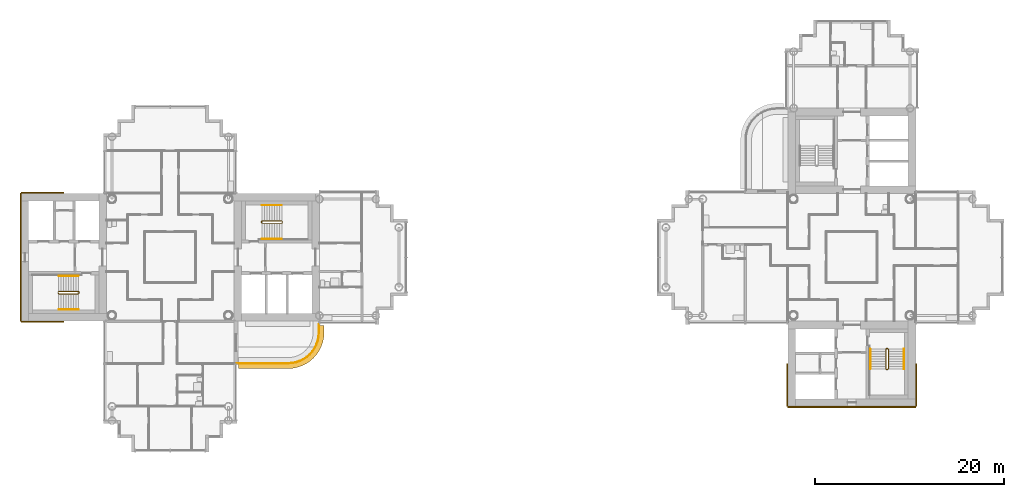
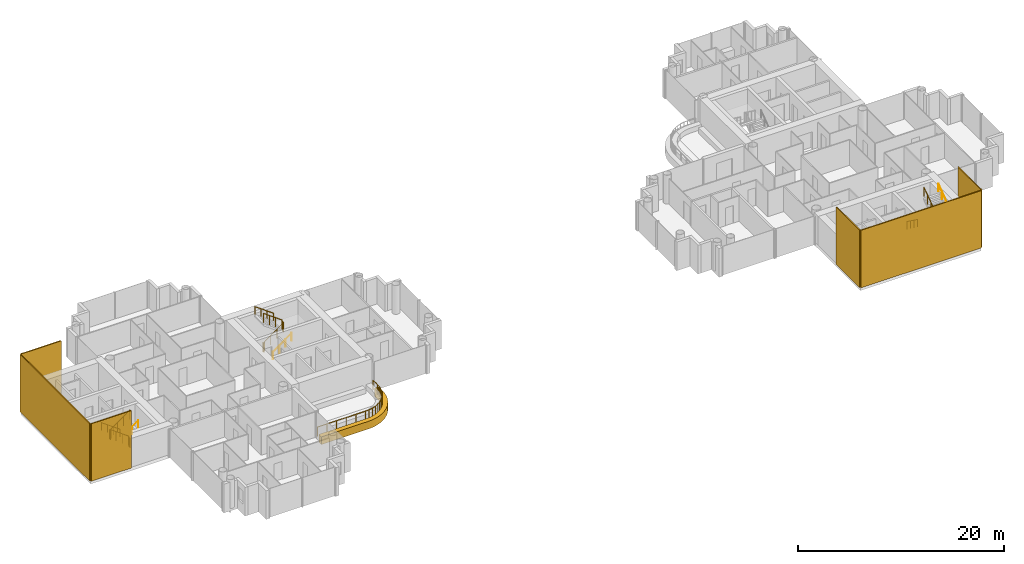
# One storey, part 17 of 19: 10 railings, 7 coverings.
"""IFC4 building model written with IfcOpenShell, lengths in metres."""

from ifc_helpers import new_model, si_unit, direction, frame, origin, origin_2d, place, context, subcontext, project, spatial, polyline, rectangle, circle, outline, extrude, material, layer, layer_set, type_object, element, save


model = new_model("IFC4")

# Units and contexts
model_context = context("Model", 3, precision=1e-05, world=origin(), true_north=direction((0.0, 1.0)))
body_context = subcontext(model_context, "Body", "Model", "MODEL_VIEW")
ifc_project = project(units=[si_unit("LENGTHUNIT", "METRE"), si_unit("AREAUNIT", "SQUARE_METRE"), si_unit("VOLUMEUNIT", "CUBIC_METRE"), si_unit("PLANEANGLEUNIT", "RADIAN"), si_unit("MASSUNIT", "GRAM", prefix="KILO")], contexts=[model_context])

# Site, building, storey
site_placement = place(None, origin())
site = spatial("IfcSite", under=ifc_project, at=site_placement, CompositionType="ELEMENT")
building_placement = place(site_placement, origin())
building = spatial("IfcBuilding", under=site, at=building_placement, Name="Ipe Terrace Towers", CompositionType="ELEMENT")
storey_placement = place(building_placement, frame((0.0, 0.0, 140.5)))
storey = spatial("IfcBuildingStorey", under=building, at=storey_placement, Name="L38", CompositionType="ELEMENT", Elevation=140.5)

# Railing
ifc_material_1 = material(Name="Stainless steel S316", Category="steel")
railing_type_1 = type_object("IfcRailingType", Name="GUARD 1100", PredefinedType="BALUSTRADE", material=ifc_material_1)
railing_1_placement = place(storey_placement, frame((-28.929931640625, -11.199951171875, -0.02001953125)))
element("IfcRailing", 1, at=railing_1_placement, inside=storey, type_object=railing_type_1, Name="guard", PredefinedType="BALUSTRADE", context=body_context, shape_type="SweptSolid", body=[
    extrude(circle(Radius=0.02392578125, at=origin_2d()), frame((0.0, 0.0, 1.076171875), z_axis=(1.0, 0.0, 0.0), x_axis=(0.0, 1.0, 0.0)), (0.0, 0.0, 1.0), 5.3779296875),
    extrude(circle(Radius=0.02392578125, at=origin_2d()), frame((5.3779296875, 0.0, 1.076171875), z_axis=(0.997872833927, 0.065190546171, 0.0), x_axis=(-0.065190546171, 0.997872833927, 0.0)), (0.0, 0.0, 1.0), 0.427001953125),
    extrude(circle(Radius=0.02392578125, at=origin_2d()), frame((5.803955078125, 0.02783203125, 1.076171875), z_axis=(0.980756958892, 0.195232649896, 0.0), x_axis=(-0.195232649896, 0.980756958892, 0.0)), (0.0, 0.0, 1.0), 0.42529296875),
    extrude(circle(Radius=0.02392578125, at=origin_2d()), frame((6.220947265625, 0.11083984375, 1.076171875), z_axis=(0.947355280148, 0.320184280026, 0.0), x_axis=(-0.320184280026, 0.947355280148, 0.0)), (0.0, 0.0, 1.0), 0.425537109375),
    extrude(circle(Radius=0.02392578125, at=origin_2d()), frame((6.6240234375, 0.2470703125, 1.076171875), z_axis=(0.895801099535, 0.444455160923, 0.0), x_axis=(-0.444455160923, 0.895801099535, 0.0)), (0.0, 0.0, 1.0), 0.425048828125),
    extrude(circle(Radius=0.02392578125, at=origin_2d()), frame((7.0048828125, 0.43603515625, 1.076171875), z_axis=(0.83151910003, 0.55549616226, 0.0), x_axis=(-0.55549616226, 0.83151910003, 0.0)), (0.0, 0.0, 1.0), 0.424560546875),
    extrude(circle(Radius=0.02392578125, at=origin_2d()), frame((7.35791015625, 0.671875, 1.076171875), z_axis=(0.752612255774, 0.658463964434, 0.0), x_axis=(-0.658463964434, 0.752612255774, 0.0)), (0.0, 0.0, 1.0), 0.42529296875),
    extrude(circle(Radius=0.02392578125, at=origin_2d()), frame((7.677978515625, 0.951904296875, 1.076171875), z_axis=(0.658463964434, 0.752612255774, 0.0), x_axis=(-0.752612255774, 0.658463964434, 0.0)), (0.0, 0.0, 1.0), 0.42529296875),
    extrude(circle(Radius=0.02392578125, at=origin_2d()), frame((7.9580078125, 1.27197265625, 1.076171875), z_axis=(0.55549616226, 0.83151910003, 0.0), x_axis=(-0.83151910003, 0.55549616226, 0.0)), (0.0, 0.0, 1.0), 0.424560546875),
    extrude(circle(Radius=0.02392578125, at=origin_2d()), frame((8.19384765625, 1.625, 1.076171875), z_axis=(0.444455160923, 0.895801099535, 0.0), x_axis=(-0.895801099535, 0.444455160923, 0.0)), (0.0, 0.0, 1.0), 0.425048828125),
    extrude(circle(Radius=0.02392578125, at=origin_2d()), frame((8.3828125, 2.005859375, 1.076171875), z_axis=(0.320184280026, 0.947355280148, 0.0), x_axis=(-0.947355280148, 0.320184280026, 0.0)), (0.0, 0.0, 1.0), 0.425537109375),
    extrude(circle(Radius=0.02392578125, at=origin_2d()), frame((8.51904296875, 2.408935546875, 1.076171875), z_axis=(0.195232649896, 0.980756958892, 0.0), x_axis=(-0.980756958892, 0.195232649896, 0.0)), (0.0, 0.0, 1.0), 0.42529296875),
    extrude(circle(Radius=0.02392578125, at=origin_2d()), frame((8.60205078125, 2.825927734375, 1.076171875), z_axis=(0.065190546171, 0.997872833927, 0.0), x_axis=(-0.997872833927, 0.065190546171, 0.0)), (0.0, 0.0, 1.0), 0.427001953125),
    extrude(circle(Radius=0.02392578125, at=origin_2d()), frame((8.6298828125, 3.251953125, 1.076171875), z_axis=(0.0, 1.0, 0.0), x_axis=(-1.0, 0.0, 0.0)), (0.0, 0.0, 1.0), 0.8779296875),
    extrude(circle(Radius=0.02099609375, at=origin_2d()), origin(), (0.0, 0.0, 1.0), 1.052001953125),
    extrude(circle(Radius=0.02099609375, at=origin_2d()), frame((1.07568359375, 0.0, 0.0)), (0.0, 0.0, 1.0), 1.052001953125),
    extrude(circle(Radius=0.02099609375, at=origin_2d()), frame((2.151123046875, 0.0, 0.0)), (0.0, 0.0, 1.0), 1.052001953125),
    extrude(circle(Radius=0.02099609375, at=origin_2d()), frame((3.226806640625, 0.0, 0.0)), (0.0, 0.0, 1.0), 1.052001953125),
    extrude(circle(Radius=0.02099609375, at=origin_2d()), frame((4.30224609375, 0.0, 0.0)), (0.0, 0.0, 1.0), 1.052001953125),
    extrude(circle(Radius=0.02099609375, at=origin_2d()), frame((5.3779296875, 0.0, 0.0)), (0.0, 0.0, 1.0), 1.052001953125),
    extrude(circle(Radius=0.02099609375, at=origin_2d()), frame((5.803955078125, 0.02783203125, 0.0)), (0.0, 0.0, 1.0), 1.052001953125),
    extrude(circle(Radius=0.02099609375, at=origin_2d()), frame((6.220947265625, 0.11083984375, 0.0)), (0.0, 0.0, 1.0), 1.052001953125),
    extrude(circle(Radius=0.02099609375, at=origin_2d()), frame((6.6240234375, 0.2470703125, 0.0)), (0.0, 0.0, 1.0), 1.052001953125),
    extrude(circle(Radius=0.02099609375, at=origin_2d()), frame((7.0048828125, 0.43603515625, 0.0)), (0.0, 0.0, 1.0), 1.052001953125),
    extrude(circle(Radius=0.02099609375, at=origin_2d()), frame((7.35791015625, 0.671875, 0.0)), (0.0, 0.0, 1.0), 1.052001953125),
    extrude(circle(Radius=0.02099609375, at=origin_2d()), frame((7.677978515625, 0.951904296875, 0.0)), (0.0, 0.0, 1.0), 1.052001953125),
    extrude(circle(Radius=0.02099609375, at=origin_2d()), frame((7.9580078125, 1.27197265625, 0.0)), (0.0, 0.0, 1.0), 1.052001953125),
    extrude(circle(Radius=0.02099609375, at=origin_2d()), frame((8.19384765625, 1.625, 0.0)), (0.0, 0.0, 1.0), 1.052001953125),
    extrude(circle(Radius=0.02099609375, at=origin_2d()), frame((8.3828125, 2.005859375, 0.0)), (0.0, 0.0, 1.0), 1.052001953125),
    extrude(circle(Radius=0.02099609375, at=origin_2d()), frame((8.51904296875, 2.408935546875, 0.0)), (0.0, 0.0, 1.0), 1.052001953125),
    extrude(circle(Radius=0.02099609375, at=origin_2d()), frame((8.60205078125, 2.825927734375, 0.0)), (0.0, 0.0, 1.0), 1.052001953125),
    extrude(circle(Radius=0.02099609375, at=origin_2d()), frame((8.6298828125, 3.251953125, 0.0)), (0.0, 0.0, 1.0), 1.052001953125),
    extrude(circle(Radius=0.02099609375, at=origin_2d()), frame((8.6298828125, 4.1298828125, 0.0)), (0.0, 0.0, 1.0), 1.052001953125),
])

# Coverings
ifc_material_2 = material(Name="Concrete C50/60 precast, buff finish", Category="concrete")
ifc_layer_1 = layer(ifc_material_2, 0.1201171875)
ifc_layer_set_1 = layer_set([ifc_layer_1], Name="STONE CORE CLADDING 120")
covering_type_1 = type_object("IfcCoveringType", Name="STONE CORE CLADDING 120", PredefinedType="CLADDING", material=ifc_layer_set_1)
covering_1_placement = place(storey_placement, frame((-49.5, -6.81005859375, 0.0), z_axis=(0.0, 0.0, 1.0), x_axis=(1.0, 0.0, 0.0)))
element("IfcCovering", 2, at=covering_1_placement, inside=storey, type_object=covering_type_1, Name="stone core cladding", PredefinedType="CLADDING", context=body_context, shape_type="SweptSolid", body=[
    extrude(rectangle(XDim=4.5, YDim=0.1201171875, at=origin_2d()), origin(), (0.0, 0.0, 1.0), 6.800048828125),
])
covering_2_placement = place(storey_placement, frame((-51.81005859375, 0.0, 0.0), z_axis=(0.0, 0.0, 1.0), x_axis=(0.0, -1.0, 0.0)))
element("IfcCovering", 3, at=covering_2_placement, inside=storey, type_object=covering_type_1, Name="stone core cladding", PredefinedType="CLADDING", context=body_context, shape_type="SweptSolid", body=[
    extrude(rectangle(XDim=13.5, YDim=0.1201171875, at=origin_2d()), origin(), (0.0, 0.0, 1.0), 6.800048828125),
])
covering_3_placement = place(storey_placement, frame((-49.5, 6.81005859375, 0.0), z_axis=(0.0, 0.0, 1.0), x_axis=(-1.0, 0.0, 0.0)))
element("IfcCovering", 4, at=covering_3_placement, inside=storey, type_object=covering_type_1, Name="stone core cladding", PredefinedType="CLADDING", context=body_context, shape_type="SweptSolid", body=[
    extrude(rectangle(XDim=4.5, YDim=0.1201171875, at=origin_2d()), origin(), (0.0, 0.0, 1.0), 6.800048828125),
])
covering_4_placement = place(storey_placement, frame((36.0, -15.81005859375, 0.0), z_axis=(0.0, 0.0, 1.0), x_axis=(1.0, 0.0, 0.0)))
element("IfcCovering", 5, at=covering_4_placement, inside=storey, type_object=covering_type_1, Name="stone core cladding", PredefinedType="CLADDING", context=body_context, shape_type="SweptSolid", body=[
    extrude(rectangle(XDim=13.5, YDim=0.1201171875, at=origin_2d()), origin(), (0.0, 0.0, 1.0), 6.800048828125),
])
for number, where, z_axis, x_axis, name in (
    (6, (29.18994140625, -13.5, 0.0), (0.0, 0.0, 1.0), (0.0, -1.0, 0.0), "stone core cladding"),
    (7, (42.81005859375, -13.5, 0.0), (0.0, 0.0, 1.0), (0.0, 1.0, 0.0), "stone core cladding"),
):
    element("IfcCovering", number, at=place(storey_placement, frame(where, z_axis=z_axis, x_axis=x_axis)), inside=storey, type_object=covering_type_1, Name=name, PredefinedType="CLADDING", context=body_context, shape_type="SweptSolid", body=[
        extrude(rectangle(XDim=4.5, YDim=0.1201171875, at=origin_2d()), origin(), (0.0, 0.0, 1.0), 6.800048828125),
    ])
ifc_material_3 = material(Name="Concrete C50/60 precast, buff finish", Category="concrete")
ifc_layer_2 = layer(ifc_material_3, 0.5)
ifc_layer_set_2 = layer_set([ifc_layer_2], Name="STONE EDGE BAND 500 x 900")
covering_type_2 = type_object("IfcCoveringType", Name="STONE EDGE BAND 500 x 900", PredefinedType="CLADDING", material=ifc_layer_set_2)
covering_5_placement = place(storey_placement, frame((0.0, 0.0, -0.719970703125)))
element("IfcCovering", 8, at=covering_5_placement, inside=storey, type_object=covering_type_2, Name="stone edge band", PredefinedType="CLADDING", context=body_context, shape_type="SweptSolid", body=[
    extrude(outline(polyline([(-23.550048828125, -11.75), (-23.51708984375, -11.7490234375), (-23.0869140625, -11.720947265625), (-23.02197265625, -11.7119140625), (-22.597900390625, -11.6279296875), (-22.534912109375, -11.611083984375), (-22.1259765625, -11.471923828125), (-22.06591796875, -11.447021484375), (-21.678955078125, -11.256103515625), (-21.6220703125, -11.22412109375), (-21.262939453125, -10.98388671875), (-21.2109375, -10.944091796875), (-20.886962890625, -10.658935546875), (-20.841064453125, -10.613037109375), (-20.555908203125, -10.2890625), (-20.51611328125, -10.237060546875), (-20.27587890625, -9.8779296875), (-20.243896484375, -9.821044921875), (-20.052978515625, -9.43408203125), (-20.028076171875, -9.3740234375), (-19.888916015625, -8.965087890625), (-19.8720703125, -8.902099609375), (-19.7880859375, -8.47802734375), (-19.779052734375, -8.4130859375), (-19.7509765625, -7.98291015625), (-19.75, -7.949951171875), (-19.75, -7.199951171875), (-20.25, -7.199951171875), (-20.25, -7.949951171875), (-20.278076171875, -8.381103515625), (-20.362060546875, -8.803955078125), (-20.5009765625, -9.212890625), (-20.69189453125, -9.60009765625), (-20.931884765625, -9.958984375), (-21.217041015625, -10.282958984375), (-21.541015625, -10.568115234375), (-21.89990234375, -10.80810546875), (-22.287109375, -10.9990234375), (-22.696044921875, -11.137939453125), (-23.118896484375, -11.221923828125), (-23.550048828125, -11.25), (-28.800048828125, -11.25), (-28.800048828125, -11.75), (-23.550048828125, -11.75)])), origin(), (0.0, 0.0, 1.0), 0.89990234375),
])

# Railings
ifc_material_4 = material(Name="Steel S355", Category="steel")
railing_type_2 = type_object("IfcRailingType", Name="Stair guard 1100", PredefinedType="GUARDRAIL", material=ifc_material_4)
railing_2_placement = place(storey_placement, frame((-26.35009765625, 3.800048828125, 0.0)))
element("IfcRailing", 9, at=railing_2_placement, inside=storey, type_object=railing_type_2, Name="L38 T1-ST1 stair guard 1", PredefinedType="GUARDRAIL", context=body_context, shape_type="SweptSolid", body=[
    extrude(circle(Radius=0.02392578125, at=origin_2d()), frame((0.0, 0.0, 1.076171875), z_axis=(0.0, -1.0, 0.0), x_axis=(1.0, 0.0, 0.0)), (0.0, 0.0, 1.0), 0.150146484375),
    extrude(circle(Radius=0.02392578125, at=origin_2d()), frame((0.0, -0.150146484375, 1.076171875), z_axis=(0.248103849378, -0.246893586699, 0.936743314239), x_axis=(0.705375805398, 0.708833529934, 0.0)), (0.0, 0.0, 1.0), 0.20166015625),
    extrude(circle(Radius=0.02392578125, at=origin_2d()), frame((0.050048828125, -0.199951171875, 1.26513671875), z_axis=(0.809068575486, 0.0, 0.587714250432), x_axis=(0.0, 1.0, 0.0)), (0.0, 0.0, 1.0), 2.571044921875),
    extrude(circle(Radius=0.02392578125, at=origin_2d()), frame((2.130126953125, -0.199951171875, 2.77587890625), z_axis=(0.708833529934, 0.705375805398, 0.0), x_axis=(-0.705375805398, 0.708833529934, 0.0)), (0.0, 0.0, 1.0), 0.070556640625),
    extrude(circle(Radius=0.02392578125, at=origin_2d()), frame((2.18017578125, -0.150146484375, 2.77587890625), z_axis=(0.0, 1.0, 0.0), x_axis=(-1.0, 0.0, 0.0)), (0.0, 0.0, 1.0), 0.150146484375),
    extrude(circle(Radius=0.02392578125, at=origin_2d()), frame((2.18017578125, 0.0, 2.77587890625), z_axis=(-0.248029566107, 0.248029566107, 0.936462849596), x_axis=(-0.707106781187, -0.707106781187, 0.0)), (0.0, 0.0, 1.0), 0.201904296875),
    extrude(circle(Radius=0.02392578125, at=origin_2d()), frame((2.130126953125, 0.050048828125, 2.96484375), z_axis=(-0.809068575486, 0.0, 0.587714250432), x_axis=(0.0, -1.0, 0.0)), (0.0, 0.0, 1.0), 2.571044921875),
    extrude(circle(Radius=0.02099609375, at=origin_2d()), origin(), (0.0, 0.0, 1.0), 1.052001953125),
    extrude(circle(Radius=0.02099609375, at=origin_2d()), frame((0.0, -0.150146484375, 0.0)), (0.0, 0.0, 1.0), 1.052001953125),
    extrude(circle(Radius=0.02099609375, at=origin_2d()), frame((0.050048828125, -0.199951171875, 0.18896484375)), (0.0, 0.0, 1.0), 1.052001953125),
    extrude(circle(Radius=0.02099609375, at=origin_2d()), frame((0.743408203125, -0.199951171875, 0.692626953125)), (0.0, 0.0, 1.0), 1.052001953125),
    extrude(circle(Radius=0.02099609375, at=origin_2d()), frame((1.436767578125, -0.199951171875, 1.1962890625)), (0.0, 0.0, 1.0), 1.052001953125),
    extrude(circle(Radius=0.02099609375, at=origin_2d()), frame((2.130126953125, -0.199951171875, 1.699951171875)), (0.0, 0.0, 1.0), 1.052001953125),
    extrude(circle(Radius=0.02099609375, at=origin_2d()), frame((2.18017578125, -0.150146484375, 1.699951171875)), (0.0, 0.0, 1.0), 1.052001953125),
    extrude(circle(Radius=0.02099609375, at=origin_2d()), frame((2.18017578125, 0.0, 1.699951171875)), (0.0, 0.0, 1.0), 1.052001953125),
    extrude(circle(Radius=0.02099609375, at=origin_2d()), frame((2.130126953125, 0.050048828125, 1.888916015625)), (0.0, 0.0, 1.0), 1.052001953125),
    extrude(circle(Radius=0.02099609375, at=origin_2d()), frame((1.436767578125, 0.050048828125, 2.392578125)), (0.0, 0.0, 1.0), 1.052001953125),
    extrude(circle(Radius=0.02099609375, at=origin_2d()), frame((0.743408203125, 0.050048828125, 2.896240234375)), (0.0, 0.0, 1.0), 1.052001953125),
    extrude(circle(Radius=0.02099609375, at=origin_2d()), frame((0.050048828125, 0.050048828125, 3.39990234375)), (0.0, 0.0, 1.0), 1.052001953125),
])
railing_3_placement = place(storey_placement, frame((-45.64990234375, -3.800048828125, 0.0)))
element("IfcRailing", 10, at=railing_3_placement, inside=storey, type_object=railing_type_2, Name="L38 T1-ST2 stair guard 1", PredefinedType="GUARDRAIL", context=body_context, shape_type="SweptSolid", body=[
    extrude(circle(Radius=0.02392578125, at=origin_2d()), frame((0.0, 0.0, 1.076171875), z_axis=(0.0, 1.0, 0.0), x_axis=(-1.0, 0.0, 0.0)), (0.0, 0.0, 1.0), 0.150146484375),
    extrude(circle(Radius=0.02392578125, at=origin_2d()), frame((0.0, 0.150146484375, 1.076171875), z_axis=(-0.248103849378, 0.246893586699, 0.936743314239), x_axis=(-0.705375805398, -0.708833529934, 0.0)), (0.0, 0.0, 1.0), 0.20166015625),
    extrude(circle(Radius=0.02392578125, at=origin_2d()), frame((-0.050048828125, 0.199951171875, 1.26513671875), z_axis=(-0.809068575486, 0.0, 0.587714250432), x_axis=(0.0, -1.0, 0.0)), (0.0, 0.0, 1.0), 2.571044921875),
    extrude(circle(Radius=0.02392578125, at=origin_2d()), frame((-2.130126953125, 0.199951171875, 2.77587890625), z_axis=(-0.708833529934, -0.705375805398, 0.0), x_axis=(0.705375805398, -0.708833529934, 0.0)), (0.0, 0.0, 1.0), 0.070556640625),
    extrude(circle(Radius=0.02392578125, at=origin_2d()), frame((-2.18017578125, 0.150146484375, 2.77587890625), z_axis=(0.0, -1.0, 0.0), x_axis=(1.0, 0.0, 0.0)), (0.0, 0.0, 1.0), 0.150146484375),
    extrude(circle(Radius=0.02392578125, at=origin_2d()), frame((-2.18017578125, 0.0, 2.77587890625), z_axis=(0.248029566107, -0.248029566107, 0.936462849596), x_axis=(0.707106781187, 0.707106781187, 0.0)), (0.0, 0.0, 1.0), 0.201904296875),
    extrude(circle(Radius=0.02392578125, at=origin_2d()), frame((-2.130126953125, -0.050048828125, 2.96484375), z_axis=(0.809068575486, 0.0, 0.587714250432), x_axis=(0.0, 1.0, 0.0)), (0.0, 0.0, 1.0), 2.571044921875),
    extrude(circle(Radius=0.02099609375, at=origin_2d()), origin(), (0.0, 0.0, 1.0), 1.052001953125),
    extrude(circle(Radius=0.02099609375, at=origin_2d()), frame((0.0, 0.150146484375, 0.0)), (0.0, 0.0, 1.0), 1.052001953125),
    extrude(circle(Radius=0.02099609375, at=origin_2d()), frame((-0.050048828125, 0.199951171875, 0.18896484375)), (0.0, 0.0, 1.0), 1.052001953125),
    extrude(circle(Radius=0.02099609375, at=origin_2d()), frame((-0.743408203125, 0.199951171875, 0.692626953125)), (0.0, 0.0, 1.0), 1.052001953125),
    extrude(circle(Radius=0.02099609375, at=origin_2d()), frame((-1.436767578125, 0.199951171875, 1.1962890625)), (0.0, 0.0, 1.0), 1.052001953125),
    extrude(circle(Radius=0.02099609375, at=origin_2d()), frame((-2.130126953125, 0.199951171875, 1.699951171875)), (0.0, 0.0, 1.0), 1.052001953125),
    extrude(circle(Radius=0.02099609375, at=origin_2d()), frame((-2.18017578125, 0.150146484375, 1.699951171875)), (0.0, 0.0, 1.0), 1.052001953125),
    extrude(circle(Radius=0.02099609375, at=origin_2d()), frame((-2.18017578125, 0.0, 1.699951171875)), (0.0, 0.0, 1.0), 1.052001953125),
    extrude(circle(Radius=0.02099609375, at=origin_2d()), frame((-2.130126953125, -0.050048828125, 1.888916015625)), (0.0, 0.0, 1.0), 1.052001953125),
    extrude(circle(Radius=0.02099609375, at=origin_2d()), frame((-1.436767578125, -0.050048828125, 2.392578125)), (0.0, 0.0, 1.0), 1.052001953125),
    extrude(circle(Radius=0.02099609375, at=origin_2d()), frame((-0.743408203125, -0.050048828125, 2.896240234375)), (0.0, 0.0, 1.0), 1.052001953125),
    extrude(circle(Radius=0.02099609375, at=origin_2d()), frame((-0.050048828125, -0.050048828125, 3.39990234375)), (0.0, 0.0, 1.0), 1.052001953125),
])
railing_4_placement = place(storey_placement, frame((39.800048828125, -9.64990234375, 0.0)))
element("IfcRailing", 11, at=railing_4_placement, inside=storey, type_object=railing_type_2, Name="L38 T2-ST2 stair guard 1", PredefinedType="GUARDRAIL", context=body_context, shape_type="SweptSolid", body=[
    extrude(circle(Radius=0.02392578125, at=origin_2d()), frame((0.0, 0.0, 1.076171875), z_axis=(-1.0, 0.0, 0.0), x_axis=(0.0, -1.0, 0.0)), (0.0, 0.0, 1.0), 0.150146484375),
    extrude(circle(Radius=0.02392578125, at=origin_2d()), frame((-0.150146484375, 0.0, 1.076171875), z_axis=(-0.246893586699, -0.248103849378, 0.936743314239), x_axis=(0.708833529934, -0.705375805398, 0.0)), (0.0, 0.0, 1.0), 0.20166015625),
    extrude(circle(Radius=0.02392578125, at=origin_2d()), frame((-0.199951171875, -0.050048828125, 1.26513671875), z_axis=(0.0, -0.809068575486, 0.587714250432), x_axis=(1.0, 0.0, 0.0)), (0.0, 0.0, 1.0), 2.571044921875),
    extrude(circle(Radius=0.02392578125, at=origin_2d()), frame((-0.199951171875, -2.130126953125, 2.77587890625), z_axis=(0.705375805398, -0.708833529934, 0.0), x_axis=(0.708833529934, 0.705375805398, 0.0)), (0.0, 0.0, 1.0), 0.070556640625),
    extrude(circle(Radius=0.02392578125, at=origin_2d()), frame((-0.150146484375, -2.18017578125, 2.77587890625), z_axis=(1.0, 0.0, 0.0), x_axis=(0.0, 1.0, 0.0)), (0.0, 0.0, 1.0), 0.150146484375),
    extrude(circle(Radius=0.02392578125, at=origin_2d()), frame((0.0, -2.18017578125, 2.77587890625), z_axis=(0.248029566107, 0.248029566107, 0.936462849596), x_axis=(-0.707106781187, 0.707106781187, 0.0)), (0.0, 0.0, 1.0), 0.201904296875),
    extrude(circle(Radius=0.02392578125, at=origin_2d()), frame((0.050048828125, -2.130126953125, 2.96484375), z_axis=(0.0, 0.809068575486, 0.587714250432), x_axis=(-1.0, 0.0, 0.0)), (0.0, 0.0, 1.0), 2.571044921875),
    extrude(circle(Radius=0.02099609375, at=origin_2d()), origin(), (0.0, 0.0, 1.0), 1.052001953125),
    extrude(circle(Radius=0.02099609375, at=origin_2d()), frame((-0.150146484375, 0.0, 0.0)), (0.0, 0.0, 1.0), 1.052001953125),
    extrude(circle(Radius=0.02099609375, at=origin_2d()), frame((-0.199951171875, -0.050048828125, 0.18896484375)), (0.0, 0.0, 1.0), 1.052001953125),
    extrude(circle(Radius=0.02099609375, at=origin_2d()), frame((-0.199951171875, -0.743408203125, 0.692626953125)), (0.0, 0.0, 1.0), 1.052001953125),
    extrude(circle(Radius=0.02099609375, at=origin_2d()), frame((-0.199951171875, -1.436767578125, 1.1962890625)), (0.0, 0.0, 1.0), 1.052001953125),
    extrude(circle(Radius=0.02099609375, at=origin_2d()), frame((-0.199951171875, -2.130126953125, 1.699951171875)), (0.0, 0.0, 1.0), 1.052001953125),
    extrude(circle(Radius=0.02099609375, at=origin_2d()), frame((-0.150146484375, -2.18017578125, 1.699951171875)), (0.0, 0.0, 1.0), 1.052001953125),
    extrude(circle(Radius=0.02099609375, at=origin_2d()), frame((0.0, -2.18017578125, 1.699951171875)), (0.0, 0.0, 1.0), 1.052001953125),
    extrude(circle(Radius=0.02099609375, at=origin_2d()), frame((0.050048828125, -2.130126953125, 1.888916015625)), (0.0, 0.0, 1.0), 1.052001953125),
    extrude(circle(Radius=0.02099609375, at=origin_2d()), frame((0.050048828125, -1.436767578125, 2.392578125)), (0.0, 0.0, 1.0), 1.052001953125),
    extrude(circle(Radius=0.02099609375, at=origin_2d()), frame((0.050048828125, -0.743408203125, 2.896240234375)), (0.0, 0.0, 1.0), 1.052001953125),
    extrude(circle(Radius=0.02099609375, at=origin_2d()), frame((0.050048828125, -0.050048828125, 3.39990234375)), (0.0, 0.0, 1.0), 1.052001953125),
])
ifc_material_5 = material(Name="Stainless steel grade 304", Category="steel")
railing_type_3 = type_object("IfcRailingType", Name="Stair handrail 900", PredefinedType="HANDRAIL", material=ifc_material_5)
railing_5_placement = place(storey_placement, frame((-26.300048828125, 1.949951171875, 0.18896484375)))
element("IfcRailing", 12, at=railing_5_placement, inside=storey, type_object=railing_type_3, Name="L38 T1-ST1 stair handrail 1", PredefinedType="HANDRAIL", context=body_context, shape_type="SweptSolid", body=[
    extrude(circle(Radius=0.02392578125, at=origin_2d()), frame((0.0, 0.0, 0.8759765625), z_axis=(0.809068575486, 0.0, 0.587714250432), x_axis=(0.0, 1.0, 0.0)), (0.0, 0.0, 1.0), 2.571044921875),
    extrude(circle(Radius=0.02099609375, at=origin_2d()), origin(), (0.0, 0.0, 1.0), 0.851806640625),
    extrude(circle(Radius=0.02099609375, at=origin_2d()), frame((0.693359375, 0.0, 0.503662109375)), (0.0, 0.0, 1.0), 0.851806640625),
    extrude(circle(Radius=0.02099609375, at=origin_2d()), frame((1.38671875, 0.0, 1.00732421875)), (0.0, 0.0, 1.0), 0.851806640625),
    extrude(circle(Radius=0.02099609375, at=origin_2d()), frame((2.080078125, 0.0, 1.510986328125)), (0.0, 0.0, 1.0), 0.851806640625),
])
for number, where, name in (
    (13, (-24.219970703125, 5.5, 1.888916015625), "L38 T1-ST1 stair handrail 2"),
    (14, (-45.699951171875, -1.949951171875, 0.18896484375), "L38 T1-ST2 stair handrail 1"),
):
    element("IfcRailing", number, at=place(storey_placement, frame(where)), inside=storey, type_object=railing_type_3, Name=name, PredefinedType="HANDRAIL", context=body_context, shape_type="SweptSolid", body=[
        extrude(circle(Radius=0.02392578125, at=origin_2d()), frame((0.0, 0.0, 0.8759765625), z_axis=(-0.809068575486, 0.0, 0.587714250432), x_axis=(0.0, -1.0, 0.0)), (0.0, 0.0, 1.0), 2.571044921875),
        extrude(circle(Radius=0.02099609375, at=origin_2d()), origin(), (0.0, 0.0, 1.0), 0.851806640625),
        extrude(circle(Radius=0.02099609375, at=origin_2d()), frame((-0.693359375, 0.0, 0.503662109375)), (0.0, 0.0, 1.0), 0.851806640625),
        extrude(circle(Radius=0.02099609375, at=origin_2d()), frame((-1.38671875, 0.0, 1.00732421875)), (0.0, 0.0, 1.0), 0.851806640625),
        extrude(circle(Radius=0.02099609375, at=origin_2d()), frame((-2.080078125, 0.0, 1.510986328125)), (0.0, 0.0, 1.0), 0.851806640625),
    ])
railing_6_placement = place(storey_placement, frame((-47.780029296875, -5.5, 1.888916015625)))
element("IfcRailing", 15, at=railing_6_placement, inside=storey, type_object=railing_type_3, Name="L38 T1-ST2 stair handrail 2", PredefinedType="HANDRAIL", context=body_context, shape_type="SweptSolid", body=[
    extrude(circle(Radius=0.02392578125, at=origin_2d()), frame((0.0, 0.0, 0.8759765625), z_axis=(0.809068575486, 0.0, 0.587714250432), x_axis=(0.0, 1.0, 0.0)), (0.0, 0.0, 1.0), 2.571044921875),
    extrude(circle(Radius=0.02099609375, at=origin_2d()), origin(), (0.0, 0.0, 1.0), 0.851806640625),
    extrude(circle(Radius=0.02099609375, at=origin_2d()), frame((0.693359375, 0.0, 0.503662109375)), (0.0, 0.0, 1.0), 0.851806640625),
    extrude(circle(Radius=0.02099609375, at=origin_2d()), frame((1.38671875, 0.0, 1.00732421875)), (0.0, 0.0, 1.0), 0.851806640625),
    extrude(circle(Radius=0.02099609375, at=origin_2d()), frame((2.080078125, 0.0, 1.510986328125)), (0.0, 0.0, 1.0), 0.851806640625),
])
railing_7_placement = place(storey_placement, frame((37.949951171875, -9.699951171875, 0.18896484375)))
element("IfcRailing", 16, at=railing_7_placement, inside=storey, type_object=railing_type_3, Name="L38 T2-ST2 stair handrail 1", PredefinedType="HANDRAIL", context=body_context, shape_type="SweptSolid", body=[
    extrude(circle(Radius=0.02392578125, at=origin_2d()), frame((0.0, 0.0, 0.8759765625), z_axis=(0.0, -0.809068575486, 0.587714250432), x_axis=(1.0, 0.0, 0.0)), (0.0, 0.0, 1.0), 2.571044921875),
    extrude(circle(Radius=0.02099609375, at=origin_2d()), origin(), (0.0, 0.0, 1.0), 0.851806640625),
    extrude(circle(Radius=0.02099609375, at=origin_2d()), frame((0.0, -0.693359375, 0.503662109375)), (0.0, 0.0, 1.0), 0.851806640625),
    extrude(circle(Radius=0.02099609375, at=origin_2d()), frame((0.0, -1.38671875, 1.00732421875)), (0.0, 0.0, 1.0), 0.851806640625),
    extrude(circle(Radius=0.02099609375, at=origin_2d()), frame((0.0, -2.080078125, 1.510986328125)), (0.0, 0.0, 1.0), 0.851806640625),
])
railing_8_placement = place(storey_placement, frame((41.5, -11.780029296875, 1.888916015625)))
element("IfcRailing", 17, at=railing_8_placement, inside=storey, type_object=railing_type_3, Name="L38 T2-ST2 stair handrail 2", PredefinedType="HANDRAIL", context=body_context, shape_type="SweptSolid", body=[
    extrude(circle(Radius=0.02392578125, at=origin_2d()), frame((0.0, 0.0, 0.8759765625), z_axis=(0.0, 0.809068575486, 0.587714250432), x_axis=(-1.0, 0.0, 0.0)), (0.0, 0.0, 1.0), 2.571044921875),
    extrude(circle(Radius=0.02099609375, at=origin_2d()), origin(), (0.0, 0.0, 1.0), 0.851806640625),
    extrude(circle(Radius=0.02099609375, at=origin_2d()), frame((0.0, 0.693359375, 0.503662109375)), (0.0, 0.0, 1.0), 0.851806640625),
    extrude(circle(Radius=0.02099609375, at=origin_2d()), frame((0.0, 1.38671875, 1.00732421875)), (0.0, 0.0, 1.0), 0.851806640625),
    extrude(circle(Radius=0.02099609375, at=origin_2d()), frame((0.0, 2.080078125, 1.510986328125)), (0.0, 0.0, 1.0), 0.851806640625),
])

save(model, "model.ifc")
